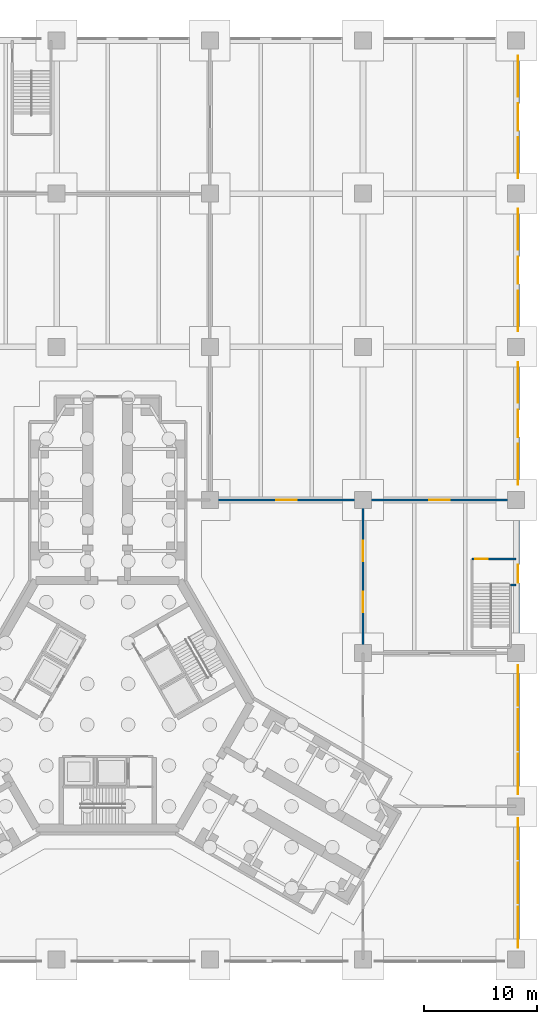
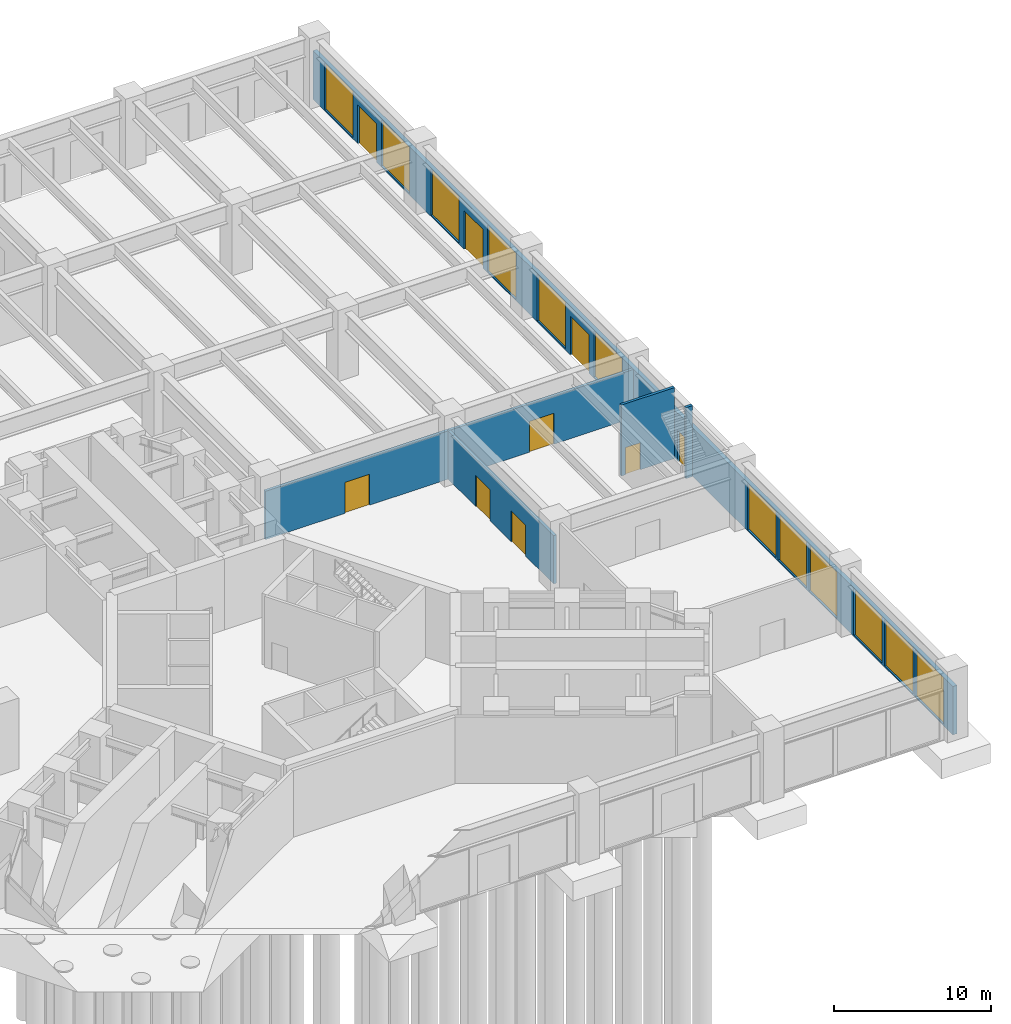
# One storey, part 12 of 18: 12 windows, 9 doors, 6 walls, 21 openings.
"""IFC4 building model written with IfcOpenShell, lengths in metres."""

from ifc_helpers import new_model, si_unit, direction, frame, frame_2d, origin, place, context, subcontext, project, spatial, rectangle, extrude, material, layer, layer_set, type_object, element, fill, save


model = new_model("IFC4")

# Units and contexts
model_context = context("Model", 3, precision=1e-05, world=origin(), true_north=direction((0.0, 1.0)))
body_context = subcontext(model_context, "Body", "Model", "MODEL_VIEW")
ifc_project = project(units=[si_unit("LENGTHUNIT", "METRE"), si_unit("AREAUNIT", "SQUARE_METRE"), si_unit("VOLUMEUNIT", "CUBIC_METRE"), si_unit("PLANEANGLEUNIT", "RADIAN"), si_unit("MASSUNIT", "GRAM", prefix="KILO")], contexts=[model_context])

# Site, building, storey
site_placement = place(None, origin())
site = spatial("IfcSite", under=ifc_project, at=site_placement, CompositionType="ELEMENT")
building_placement = place(site_placement, origin())
building = spatial("IfcBuilding", under=site, at=building_placement, Name="Upepo Twin Towers", CompositionType="ELEMENT")
storey_placement = place(building_placement, origin())
storey = spatial("IfcBuildingStorey", under=building, at=storey_placement, Name="L00", CompositionType="ELEMENT", Elevation=0.0)

# Wall, openings, doors
ifc_material_1 = material(Name="Concrete blockwork", Category="masonry")
ifc_layer_1 = layer(ifc_material_1, 0.199951171875)
ifc_layer_set_1 = layer_set([ifc_layer_1], Name="Podium partition 200 blockwork")
wall_type_1 = type_object("IfcWallType", Name="Podium partition 200 blockwork", PredefinedType="PARTITIONING", material=ifc_layer_set_1)
wall_1_placement = place(storey_placement, frame((81.0, -13.5, 0.0), z_axis=(0.0, 0.0, 1.0), x_axis=(0.0, 1.0, 0.0)))
wall_1 = element("IfcWall", 1, at=wall_1_placement, inside=storey, type_object=wall_type_1, Name="L00 podium wall X82", PredefinedType="PARTITIONING", context=body_context, shape_type="SweptSolid", body=[
    extrude(rectangle(XDim=13.5, YDim=0.199951171875, at=frame_2d((6.75, 0.0))), origin(), (0.0, 0.0, 1.0), 3.75),
])
opening_1_placement = place(wall_1_placement, frame((3.60009765625, 0.0, 0.0)))
opening_1 = element("IfcOpeningElement", 2, at=opening_1_placement, cuts=wall_1, Name="Opening D10", PredefinedType="OPENING", context=body_context, shape_type="SweptSolid", body=[
    extrude(rectangle(XDim=1.800048828125, YDim=2.39990234375, at=frame_2d((0.89990234375, 1.199951171875))), frame((0.0, 0.10986328125, 0.0), z_axis=(0.0, -1.0, 0.0), x_axis=(1.0, 0.0, 0.0)), (0.0, 0.0, 1.0), 0.219970703125),
])
opening_2_placement = place(wall_1_placement, frame((8.10009765625, 0.0, 0.0)))
opening_2 = element("IfcOpeningElement", 3, at=opening_2_placement, cuts=wall_1, Name="Opening D10", PredefinedType="OPENING", context=body_context, shape_type="SweptSolid", body=[
    extrude(rectangle(XDim=1.800048828125, YDim=2.39990234375, at=frame_2d((0.89990234375, 1.199951171875))), frame((0.0, 0.10986328125, 0.0), z_axis=(0.0, -1.0, 0.0), x_axis=(1.0, 0.0, 0.0)), (0.0, 0.0, 1.0), 0.219970703125),
])
ifc_material_2 = material(Name="Timber doorset", Category="wood")
door_type_1 = type_object("IfcDoorType", Name="Podium double door 1800", OperationType="DOUBLE_DOOR_DOUBLE_SWING", PredefinedType="DOOR", material=ifc_material_2)
door_1_placement = place(opening_1_placement, origin())
door_1 = element("IfcDoor", 4, at=door_1_placement, inside=storey, type_object=door_type_1, Name="L00 lecture theatre lt2 door 1", OperationType="DOUBLE_DOOR_DOUBLE_SWING", OverallHeight=2.39990234375, OverallWidth=1.800048828125, PredefinedType="DOOR", context=body_context, shape_type="SweptSolid", body=[
    extrude(rectangle(XDim=1.800048828125, YDim=2.39990234375, at=frame_2d((0.89990234375, 1.199951171875))), frame((0.0, 0.02490234375, 0.0), z_axis=(0.0, -1.0, 0.0), x_axis=(1.0, 0.0, 0.0)), (0.0, 0.0, 1.0), 0.050048828125),
])
fill(opening_1, door_1)
door_2_placement = place(opening_2_placement, origin())
door_2 = element("IfcDoor", 5, at=door_2_placement, inside=storey, type_object=door_type_1, Name="L00 lecture theatre lt2 door 2", OperationType="DOUBLE_DOOR_DOUBLE_SWING", OverallHeight=2.39990234375, OverallWidth=1.800048828125, PredefinedType="DOOR", context=body_context, shape_type="SweptSolid", body=[
    extrude(rectangle(XDim=1.800048828125, YDim=2.39990234375, at=frame_2d((0.89990234375, 1.199951171875))), frame((0.0, 0.02490234375, 0.0), z_axis=(0.0, -1.0, 0.0), x_axis=(1.0, 0.0, 0.0)), (0.0, 0.0, 1.0), 0.050048828125),
])
fill(opening_2, door_2)

# Wall, opening, door
wall_2_placement = place(storey_placement, frame((67.5, 0.0, 0.0), z_axis=(0.0, 0.0, 1.0), x_axis=(1.0, 0.0, 0.0)))
wall_2 = element("IfcWall", 6, at=wall_2_placement, inside=storey, type_object=wall_type_1, Name="L00 podium wall Y73", PredefinedType="PARTITIONING", context=body_context, shape_type="SweptSolid", body=[
    extrude(rectangle(XDim=13.5, YDim=0.199951171875, at=frame_2d((6.75, 0.0))), origin(), (0.0, 0.0, 1.0), 3.75),
])
opening_3_placement = place(wall_2_placement, frame((5.85009765625, 0.0, 0.0)))
opening_3 = element("IfcOpeningElement", 7, at=opening_3_placement, cuts=wall_2, Name="Opening D10", PredefinedType="OPENING", context=body_context, shape_type="SweptSolid", body=[
    extrude(rectangle(XDim=1.800048828125, YDim=2.39990234375, at=frame_2d((0.89990234375, 1.199951171875))), frame((0.0, 0.10986328125, 0.0), z_axis=(0.0, -1.0, 0.0), x_axis=(1.0, 0.0, 0.0)), (0.0, 0.0, 1.0), 0.219970703125),
])
door_3_placement = place(opening_3_placement, origin())
door_3 = element("IfcDoor", 8, at=door_3_placement, inside=storey, type_object=door_type_1, Name="L00 lecture theatre lt2-library entrance hall door", OperationType="DOUBLE_DOOR_DOUBLE_SWING", OverallHeight=2.39990234375, OverallWidth=1.800048828125, PredefinedType="DOOR", context=body_context, shape_type="SweptSolid", body=[
    extrude(rectangle(XDim=1.800048828125, YDim=2.39990234375, at=frame_2d((0.89990234375, 1.199951171875))), frame((0.0, 0.02490234375, 0.0), z_axis=(0.0, -1.0, 0.0), x_axis=(1.0, 0.0, 0.0)), (0.0, 0.0, 1.0), 0.050048828125),
])
fill(opening_3, door_3)

wall_3_placement = place(storey_placement, frame((81.0, 0.0, 0.0), z_axis=(0.0, 0.0, 1.0), x_axis=(1.0, 0.0, 0.0)))
wall_3 = element("IfcWall", 9, at=wall_3_placement, inside=storey, type_object=wall_type_1, Name="L00 podium wall Y83", PredefinedType="PARTITIONING", context=body_context, shape_type="SweptSolid", body=[
    extrude(rectangle(XDim=13.5, YDim=0.199951171875, at=frame_2d((6.75, 0.0))), origin(), (0.0, 0.0, 1.0), 3.75),
])
opening_4_placement = place(wall_3_placement, frame((5.85009765625, 0.0, 0.0)))
opening_4 = element("IfcOpeningElement", 10, at=opening_4_placement, cuts=wall_3, Name="Opening D10", PredefinedType="OPENING", context=body_context, shape_type="SweptSolid", body=[
    extrude(rectangle(XDim=1.800048828125, YDim=2.39990234375, at=frame_2d((0.89990234375, 1.199951171875))), frame((0.0, 0.10986328125, 0.0), z_axis=(0.0, -1.0, 0.0), x_axis=(1.0, 0.0, 0.0)), (0.0, 0.0, 1.0), 0.219970703125),
])
door_4_placement = place(opening_4_placement, origin())
door_4 = element("IfcDoor", 11, at=door_4_placement, inside=storey, type_object=door_type_1, Name="L00 library entrance hall door", OperationType="DOUBLE_DOOR_DOUBLE_SWING", OverallHeight=2.39990234375, OverallWidth=1.800048828125, PredefinedType="DOOR", context=body_context, shape_type="SweptSolid", body=[
    extrude(rectangle(XDim=1.800048828125, YDim=2.39990234375, at=frame_2d((0.89990234375, 1.199951171875))), frame((0.0, 0.02490234375, 0.0), z_axis=(0.0, -1.0, 0.0), x_axis=(1.0, 0.0, 0.0)), (0.0, 0.0, 1.0), 0.050048828125),
])
fill(opening_4, door_4)

ifc_material_3 = material(Name="Concrete C40/50", Category="concrete")
ifc_layer_2 = layer(ifc_material_3, 0.199951171875)
ifc_layer_set_2 = layer_set([ifc_layer_2], Name="Concrete C40/50")
wall_type_2 = type_object("IfcWallType", Name="Podium stair enclosure 200 RC", PredefinedType="SHEAR", material=ifc_layer_set_2)
wall_4_placement = place(storey_placement, frame((94.5, -5.199951171875, 0.0), z_axis=(0.0, 0.0, 1.0), x_axis=(-1.0, 0.0, 0.0)))
wall_4 = element("IfcWall", 12, at=wall_4_placement, inside=storey, type_object=wall_type_2, Name="PS2 L00 enclosure wall 3", PredefinedType="SHEAR", context=body_context, shape_type="SweptSolid", body=[
    extrude(rectangle(XDim=3.89990234375, YDim=0.199951171875, at=frame_2d((1.949951171875, 0.0))), origin(), (0.0, 0.0, 1.0), 5.5),
])
opening_5_placement = place(wall_4_placement, frame((2.5, 0.0, 0.0)))
opening_5 = element("IfcOpeningElement", 13, at=opening_5_placement, cuts=wall_4, Name="Opening D3", PredefinedType="OPENING", context=body_context, shape_type="SweptSolid", body=[
    extrude(rectangle(XDim=1.10009765625, YDim=2.10009765625, at=frame_2d((0.550048828125, 1.050048828125))), frame((0.0, 0.10986328125, 0.0), z_axis=(0.0, -1.0, 0.0), x_axis=(1.0, 0.0, 0.0)), (0.0, 0.0, 1.0), 0.219970703125),
])
ifc_material_4 = material(Name="Timber doorset", Category="wood")
door_type_2 = type_object("IfcDoorType", Name="Stair door 1100 FD60", OperationType="SINGLE_SWING_LEFT", PredefinedType="DOOR", material=ifc_material_4)
door_5_placement = place(opening_5_placement, origin())
door_5 = element("IfcDoor", 14, at=door_5_placement, inside=storey, type_object=door_type_2, Name="PS2 L00 door", OperationType="SINGLE_SWING_RIGHT", OverallHeight=2.10009765625, OverallWidth=1.10009765625, PredefinedType="DOOR", context=body_context, shape_type="SweptSolid", body=[
    extrude(rectangle(XDim=1.10009765625, YDim=2.10009765625, at=frame_2d((0.550048828125, 1.050048828125))), frame((0.0, 0.02490234375, 0.0), z_axis=(0.0, -1.0, 0.0), x_axis=(1.0, 0.0, 0.0)), (0.0, 0.0, 1.0), 0.050048828125),
])
fill(opening_5, door_5)

# Wall
wall_5_placement = place(storey_placement, frame((94.0, -7.5, 0.0), z_axis=(0.0, 0.0, 1.0), x_axis=(1.0, 0.0, 0.0)))
element("IfcWall", 15, at=wall_5_placement, inside=storey, type_object=wall_type_2, Name="PS2 L00 enclosure return wall", PredefinedType="SHEAR", context=body_context, shape_type="SweptSolid", body=[
    extrude(rectangle(XDim=0.5, YDim=0.199951171875, at=frame_2d((0.25, 0.0))), origin(), (0.0, 0.0, 1.0), 5.5),
])

# Wall, openings, doors, windows
ifc_material_5 = material(Name="Blockwork with anodised aluminium cladding", Category="masonry")
ifc_layer_3 = layer(ifc_material_5, 0.300048828125)
ifc_layer_set_3 = layer_set([ifc_layer_3], Name="Podium street wall 300, pale metal")
wall_type_3 = type_object("IfcWallType", Name="Podium street wall 300, pale metal", PredefinedType="STANDARD", material=ifc_layer_set_3)
wall_6_placement = place(storey_placement, frame((94.64990234375, -40.64990234375, 0.0), z_axis=(0.0, 0.0, 1.0), x_axis=(0.0, 1.0, 0.0)))
wall_6 = element("IfcWall", 16, at=wall_6_placement, inside=storey, type_object=wall_type_3, Name="Podium street wall E", PredefinedType="STANDARD", context=body_context, shape_type="SweptSolid", body=[
    extrude(rectangle(XDim=81.2998046875, YDim=0.300048828125, at=frame_2d((40.64990234375, 0.0))), origin(), (0.0, 0.0, 1.0), 3.75),
])
opening_6_placement = place(wall_6_placement, frame((33.35009765625, 0.0, 0.0)))
opening_6 = element("IfcOpeningElement", 17, at=opening_6_placement, cuts=wall_6, Name="Opening D16", PredefinedType="OPENING", context=body_context, shape_type="SweptSolid", body=[
    extrude(rectangle(XDim=1.60009765625, YDim=2.39990234375, at=frame_2d((0.800048828125, 1.199951171875))), frame((0.0, 0.159912109375, 0.0), z_axis=(0.0, -1.0, 0.0), x_axis=(1.0, 0.0, 0.0)), (0.0, 0.0, 1.0), 0.320068359375),
])
opening_7_placement = place(wall_6_placement, frame((1.199951171875, 0.0, 0.10009765625)))
opening_7 = element("IfcOpeningElement", 18, at=opening_7_placement, cuts=wall_6, Name="Opening W1", PredefinedType="OPENING", context=body_context, shape_type="SweptSolid", body=[
    extrude(rectangle(XDim=3.60009765625, YDim=3.60009765625, at=frame_2d((1.800048828125, 1.800048828125))), frame((0.0, 0.159912109375, 0.0), z_axis=(0.0, -1.0, 0.0), x_axis=(1.0, 0.0, 0.0)), (0.0, 0.0, 1.0), 0.320068359375),
])
opening_8_placement = place(wall_6_placement, frame((5.10009765625, 0.0, 0.10009765625)))
opening_8 = element("IfcOpeningElement", 19, at=opening_8_placement, cuts=wall_6, Name="Opening W1", PredefinedType="OPENING", context=body_context, shape_type="SweptSolid", body=[
    extrude(rectangle(XDim=3.60009765625, YDim=3.60009765625, at=frame_2d((1.800048828125, 1.800048828125))), frame((0.0, 0.159912109375, 0.0), z_axis=(0.0, -1.0, 0.0), x_axis=(1.0, 0.0, 0.0)), (0.0, 0.0, 1.0), 0.320068359375),
])
opening_9_placement = place(wall_6_placement, frame((9.0, 0.0, 0.10009765625)))
opening_9 = element("IfcOpeningElement", 20, at=opening_9_placement, cuts=wall_6, Name="Opening W1", PredefinedType="OPENING", context=body_context, shape_type="SweptSolid", body=[
    extrude(rectangle(XDim=3.60009765625, YDim=3.60009765625, at=frame_2d((1.800048828125, 1.800048828125))), frame((0.0, 0.159912109375, 0.0), z_axis=(0.0, -1.0, 0.0), x_axis=(1.0, 0.0, 0.0)), (0.0, 0.0, 1.0), 0.320068359375),
])
opening_10_placement = place(wall_6_placement, frame((14.699951171875, 0.0, 0.10009765625)))
opening_10 = element("IfcOpeningElement", 21, at=opening_10_placement, cuts=wall_6, Name="Opening W1", PredefinedType="OPENING", context=body_context, shape_type="SweptSolid", body=[
    extrude(rectangle(XDim=3.60009765625, YDim=3.60009765625, at=frame_2d((1.800048828125, 1.800048828125))), frame((0.0, 0.159912109375, 0.0), z_axis=(0.0, -1.0, 0.0), x_axis=(1.0, 0.0, 0.0)), (0.0, 0.0, 1.0), 0.320068359375),
])
opening_11_placement = place(wall_6_placement, frame((18.60009765625, 0.0, 0.10009765625)))
opening_11 = element("IfcOpeningElement", 22, at=opening_11_placement, cuts=wall_6, Name="Opening W1", PredefinedType="OPENING", context=body_context, shape_type="SweptSolid", body=[
    extrude(rectangle(XDim=3.60009765625, YDim=3.60009765625, at=frame_2d((1.800048828125, 1.800048828125))), frame((0.0, 0.159912109375, 0.0), z_axis=(0.0, -1.0, 0.0), x_axis=(1.0, 0.0, 0.0)), (0.0, 0.0, 1.0), 0.320068359375),
])
opening_12_placement = place(wall_6_placement, frame((22.5, 0.0, 0.10009765625)))
opening_12 = element("IfcOpeningElement", 23, at=opening_12_placement, cuts=wall_6, Name="Opening W1", PredefinedType="OPENING", context=body_context, shape_type="SweptSolid", body=[
    extrude(rectangle(XDim=3.60009765625, YDim=3.60009765625, at=frame_2d((1.800048828125, 1.800048828125))), frame((0.0, 0.159912109375, 0.0), z_axis=(0.0, -1.0, 0.0), x_axis=(1.0, 0.0, 0.0)), (0.0, 0.0, 1.0), 0.320068359375),
])
opening_13_placement = place(wall_6_placement, frame((42.0, 0.0, 0.10009765625)))
opening_13 = element("IfcOpeningElement", 24, at=opening_13_placement, cuts=wall_6, Name="Opening W1", PredefinedType="OPENING", context=body_context, shape_type="SweptSolid", body=[
    extrude(rectangle(XDim=3.60009765625, YDim=3.60009765625, at=frame_2d((1.800048828125, 1.800048828125))), frame((0.0, 0.159912109375, 0.0), z_axis=(0.0, -1.0, 0.0), x_axis=(1.0, 0.0, 0.0)), (0.0, 0.0, 1.0), 0.320068359375),
])
opening_14_placement = place(wall_6_placement, frame((46.199951171875, 0.0, 0.0)))
opening_14 = element("IfcOpeningElement", 25, at=opening_14_placement, cuts=wall_6, Name="Opening D7", PredefinedType="OPENING", context=body_context, shape_type="SweptSolid", body=[
    extrude(rectangle(XDim=2.39990234375, YDim=3.0, at=frame_2d((1.199951171875, 1.5))), frame((0.0, 0.159912109375, 0.0), z_axis=(0.0, -1.0, 0.0), x_axis=(1.0, 0.0, 0.0)), (0.0, 0.0, 1.0), 0.320068359375),
])
opening_15_placement = place(wall_6_placement, frame((49.199951171875, 0.0, 0.10009765625)))
opening_15 = element("IfcOpeningElement", 26, at=opening_15_placement, cuts=wall_6, Name="Opening W1", PredefinedType="OPENING", context=body_context, shape_type="SweptSolid", body=[
    extrude(rectangle(XDim=3.60009765625, YDim=3.60009765625, at=frame_2d((1.800048828125, 1.800048828125))), frame((0.0, 0.159912109375, 0.0), z_axis=(0.0, -1.0, 0.0), x_axis=(1.0, 0.0, 0.0)), (0.0, 0.0, 1.0), 0.320068359375),
])
opening_16_placement = place(wall_6_placement, frame((55.5, 0.0, 0.10009765625)))
opening_16 = element("IfcOpeningElement", 27, at=opening_16_placement, cuts=wall_6, Name="Opening W1", PredefinedType="OPENING", context=body_context, shape_type="SweptSolid", body=[
    extrude(rectangle(XDim=3.60009765625, YDim=3.60009765625, at=frame_2d((1.800048828125, 1.800048828125))), frame((0.0, 0.159912109375, 0.0), z_axis=(0.0, -1.0, 0.0), x_axis=(1.0, 0.0, 0.0)), (0.0, 0.0, 1.0), 0.320068359375),
])
opening_17_placement = place(wall_6_placement, frame((59.699951171875, 0.0, 0.0)))
opening_17 = element("IfcOpeningElement", 28, at=opening_17_placement, cuts=wall_6, Name="Opening D7", PredefinedType="OPENING", context=body_context, shape_type="SweptSolid", body=[
    extrude(rectangle(XDim=2.39990234375, YDim=3.0, at=frame_2d((1.199951171875, 1.5))), frame((0.0, 0.159912109375, 0.0), z_axis=(0.0, -1.0, 0.0), x_axis=(1.0, 0.0, 0.0)), (0.0, 0.0, 1.0), 0.320068359375),
])
opening_18_placement = place(wall_6_placement, frame((62.699951171875, 0.0, 0.10009765625)))
opening_18 = element("IfcOpeningElement", 29, at=opening_18_placement, cuts=wall_6, Name="Opening W1", PredefinedType="OPENING", context=body_context, shape_type="SweptSolid", body=[
    extrude(rectangle(XDim=3.60009765625, YDim=3.60009765625, at=frame_2d((1.800048828125, 1.800048828125))), frame((0.0, 0.159912109375, 0.0), z_axis=(0.0, -1.0, 0.0), x_axis=(1.0, 0.0, 0.0)), (0.0, 0.0, 1.0), 0.320068359375),
])
opening_19_placement = place(wall_6_placement, frame((69.0, 0.0, 0.10009765625)))
opening_19 = element("IfcOpeningElement", 30, at=opening_19_placement, cuts=wall_6, Name="Opening W1", PredefinedType="OPENING", context=body_context, shape_type="SweptSolid", body=[
    extrude(rectangle(XDim=3.60009765625, YDim=3.60009765625, at=frame_2d((1.800048828125, 1.800048828125))), frame((0.0, 0.159912109375, 0.0), z_axis=(0.0, -1.0, 0.0), x_axis=(1.0, 0.0, 0.0)), (0.0, 0.0, 1.0), 0.320068359375),
])
opening_20_placement = place(wall_6_placement, frame((73.199951171875, 0.0, 0.0)))
opening_20 = element("IfcOpeningElement", 31, at=opening_20_placement, cuts=wall_6, Name="Opening D7", PredefinedType="OPENING", context=body_context, shape_type="SweptSolid", body=[
    extrude(rectangle(XDim=2.39990234375, YDim=3.0, at=frame_2d((1.199951171875, 1.5))), frame((0.0, 0.159912109375, 0.0), z_axis=(0.0, -1.0, 0.0), x_axis=(1.0, 0.0, 0.0)), (0.0, 0.0, 1.0), 0.320068359375),
])
opening_21_placement = place(wall_6_placement, frame((76.199951171875, 0.0, 0.10009765625)))
opening_21 = element("IfcOpeningElement", 32, at=opening_21_placement, cuts=wall_6, Name="Opening W1", PredefinedType="OPENING", context=body_context, shape_type="SweptSolid", body=[
    extrude(rectangle(XDim=3.60009765625, YDim=3.60009765625, at=frame_2d((1.800048828125, 1.800048828125))), frame((0.0, 0.159912109375, 0.0), z_axis=(0.0, -1.0, 0.0), x_axis=(1.0, 0.0, 0.0)), (0.0, 0.0, 1.0), 0.320068359375),
])
ifc_material_6 = material(Name="Aluminium glazed doorset", Category="aluminium")
door_type_3 = type_object("IfcDoorType", Name="Entrance door 2400 glazed", OperationType="DOUBLE_DOOR_DOUBLE_SWING", PredefinedType="DOOR", material=ifc_material_6)
door_6_placement = place(opening_14_placement, origin())
door_6 = element("IfcDoor", 33, at=door_6_placement, inside=storey, type_object=door_type_3, Name="Entrance door E4", OperationType="DOUBLE_DOOR_DOUBLE_SWING", OverallHeight=3.0, OverallWidth=2.39990234375, PredefinedType="DOOR", context=body_context, shape_type="SweptSolid", body=[
    extrude(rectangle(XDim=2.39990234375, YDim=3.0, at=frame_2d((1.199951171875, 1.5))), frame((0.0, 0.02490234375, 0.0), z_axis=(0.0, -1.0, 0.0), x_axis=(1.0, 0.0, 0.0)), (0.0, 0.0, 1.0), 0.050048828125),
])
fill(opening_14, door_6)
door_7_placement = place(opening_17_placement, origin())
door_7 = element("IfcDoor", 34, at=door_7_placement, inside=storey, type_object=door_type_3, Name="Entrance door E5", OperationType="DOUBLE_DOOR_DOUBLE_SWING", OverallHeight=3.0, OverallWidth=2.39990234375, PredefinedType="DOOR", context=body_context, shape_type="SweptSolid", body=[
    extrude(rectangle(XDim=2.39990234375, YDim=3.0, at=frame_2d((1.199951171875, 1.5))), frame((0.0, 0.02490234375, 0.0), z_axis=(0.0, -1.0, 0.0), x_axis=(1.0, 0.0, 0.0)), (0.0, 0.0, 1.0), 0.050048828125),
])
fill(opening_17, door_7)
door_8_placement = place(opening_20_placement, origin())
door_8 = element("IfcDoor", 35, at=door_8_placement, inside=storey, type_object=door_type_3, Name="Entrance door E6", OperationType="DOUBLE_DOOR_DOUBLE_SWING", OverallHeight=3.0, OverallWidth=2.39990234375, PredefinedType="DOOR", context=body_context, shape_type="SweptSolid", body=[
    extrude(rectangle(XDim=2.39990234375, YDim=3.0, at=frame_2d((1.199951171875, 1.5))), frame((0.0, 0.02490234375, 0.0), z_axis=(0.0, -1.0, 0.0), x_axis=(1.0, 0.0, 0.0)), (0.0, 0.0, 1.0), 0.050048828125),
])
fill(opening_20, door_8)
ifc_material_7 = material(Name="Aluminium and clear glass", Category="aluminium")
window_type = type_object("IfcWindowType", Name="Shopfront window 3600x3600", PartitioningType="DOUBLE_PANEL_VERTICAL", PredefinedType="WINDOW", material=ifc_material_7)
window_1_placement = place(opening_7_placement, origin())
window_1 = element("IfcWindow", 36, at=window_1_placement, inside=storey, type_object=window_type, Name="Shopfront window E1.1", OverallHeight=3.60009765625, OverallWidth=3.60009765625, PartitioningType="SINGLE_PANEL", PredefinedType="WINDOW", context=body_context, shape_type="SweptSolid", body=[
    extrude(rectangle(XDim=3.60009765625, YDim=3.60009765625, at=frame_2d((1.800048828125, 1.800048828125))), frame((0.0, 0.030029296875, 0.0), z_axis=(0.0, -1.0, 0.0), x_axis=(1.0, 0.0, 0.0)), (0.0, 0.0, 1.0), 0.06005859375),
])
fill(opening_7, window_1)
window_2_placement = place(opening_8_placement, origin())
window_2 = element("IfcWindow", 37, at=window_2_placement, inside=storey, type_object=window_type, Name="Shopfront window E1.2", OverallHeight=3.60009765625, OverallWidth=3.60009765625, PartitioningType="SINGLE_PANEL", PredefinedType="WINDOW", context=body_context, shape_type="SweptSolid", body=[
    extrude(rectangle(XDim=3.60009765625, YDim=3.60009765625, at=frame_2d((1.800048828125, 1.800048828125))), frame((0.0, 0.030029296875, 0.0), z_axis=(0.0, -1.0, 0.0), x_axis=(1.0, 0.0, 0.0)), (0.0, 0.0, 1.0), 0.06005859375),
])
fill(opening_8, window_2)
window_3_placement = place(opening_9_placement, origin())
window_3 = element("IfcWindow", 38, at=window_3_placement, inside=storey, type_object=window_type, Name="Shopfront window E1.3", OverallHeight=3.60009765625, OverallWidth=3.60009765625, PartitioningType="SINGLE_PANEL", PredefinedType="WINDOW", context=body_context, shape_type="SweptSolid", body=[
    extrude(rectangle(XDim=3.60009765625, YDim=3.60009765625, at=frame_2d((1.800048828125, 1.800048828125))), frame((0.0, 0.030029296875, 0.0), z_axis=(0.0, -1.0, 0.0), x_axis=(1.0, 0.0, 0.0)), (0.0, 0.0, 1.0), 0.06005859375),
])
fill(opening_9, window_3)
window_4_placement = place(opening_10_placement, origin())
window_4 = element("IfcWindow", 39, at=window_4_placement, inside=storey, type_object=window_type, Name="Shopfront window E2.1", OverallHeight=3.60009765625, OverallWidth=3.60009765625, PartitioningType="SINGLE_PANEL", PredefinedType="WINDOW", context=body_context, shape_type="SweptSolid", body=[
    extrude(rectangle(XDim=3.60009765625, YDim=3.60009765625, at=frame_2d((1.800048828125, 1.800048828125))), frame((0.0, 0.030029296875, 0.0), z_axis=(0.0, -1.0, 0.0), x_axis=(1.0, 0.0, 0.0)), (0.0, 0.0, 1.0), 0.06005859375),
])
fill(opening_10, window_4)
window_5_placement = place(opening_11_placement, origin())
window_5 = element("IfcWindow", 40, at=window_5_placement, inside=storey, type_object=window_type, Name="Shopfront window E2.2", OverallHeight=3.60009765625, OverallWidth=3.60009765625, PartitioningType="SINGLE_PANEL", PredefinedType="WINDOW", context=body_context, shape_type="SweptSolid", body=[
    extrude(rectangle(XDim=3.60009765625, YDim=3.60009765625, at=frame_2d((1.800048828125, 1.800048828125))), frame((0.0, 0.030029296875, 0.0), z_axis=(0.0, -1.0, 0.0), x_axis=(1.0, 0.0, 0.0)), (0.0, 0.0, 1.0), 0.06005859375),
])
fill(opening_11, window_5)
window_6_placement = place(opening_12_placement, origin())
window_6 = element("IfcWindow", 41, at=window_6_placement, inside=storey, type_object=window_type, Name="Shopfront window E2.3", OverallHeight=3.60009765625, OverallWidth=3.60009765625, PartitioningType="SINGLE_PANEL", PredefinedType="WINDOW", context=body_context, shape_type="SweptSolid", body=[
    extrude(rectangle(XDim=3.60009765625, YDim=3.60009765625, at=frame_2d((1.800048828125, 1.800048828125))), frame((0.0, 0.030029296875, 0.0), z_axis=(0.0, -1.0, 0.0), x_axis=(1.0, 0.0, 0.0)), (0.0, 0.0, 1.0), 0.06005859375),
])
fill(opening_12, window_6)
window_7_placement = place(opening_13_placement, origin())
window_7 = element("IfcWindow", 42, at=window_7_placement, inside=storey, type_object=window_type, Name="Shopfront window E4.1", OverallHeight=3.60009765625, OverallWidth=3.60009765625, PartitioningType="SINGLE_PANEL", PredefinedType="WINDOW", context=body_context, shape_type="SweptSolid", body=[
    extrude(rectangle(XDim=3.60009765625, YDim=3.60009765625, at=frame_2d((1.800048828125, 1.800048828125))), frame((0.0, 0.030029296875, 0.0), z_axis=(0.0, -1.0, 0.0), x_axis=(1.0, 0.0, 0.0)), (0.0, 0.0, 1.0), 0.06005859375),
])
fill(opening_13, window_7)
window_8_placement = place(opening_15_placement, origin())
window_8 = element("IfcWindow", 43, at=window_8_placement, inside=storey, type_object=window_type, Name="Shopfront window E4.3", OverallHeight=3.60009765625, OverallWidth=3.60009765625, PartitioningType="SINGLE_PANEL", PredefinedType="WINDOW", context=body_context, shape_type="SweptSolid", body=[
    extrude(rectangle(XDim=3.60009765625, YDim=3.60009765625, at=frame_2d((1.800048828125, 1.800048828125))), frame((0.0, 0.030029296875, 0.0), z_axis=(0.0, -1.0, 0.0), x_axis=(1.0, 0.0, 0.0)), (0.0, 0.0, 1.0), 0.06005859375),
])
fill(opening_15, window_8)
window_9_placement = place(opening_16_placement, origin())
window_9 = element("IfcWindow", 44, at=window_9_placement, inside=storey, type_object=window_type, Name="Shopfront window E5.1", OverallHeight=3.60009765625, OverallWidth=3.60009765625, PartitioningType="SINGLE_PANEL", PredefinedType="WINDOW", context=body_context, shape_type="SweptSolid", body=[
    extrude(rectangle(XDim=3.60009765625, YDim=3.60009765625, at=frame_2d((1.800048828125, 1.800048828125))), frame((0.0, 0.030029296875, 0.0), z_axis=(0.0, -1.0, 0.0), x_axis=(1.0, 0.0, 0.0)), (0.0, 0.0, 1.0), 0.06005859375),
])
fill(opening_16, window_9)
window_10_placement = place(opening_18_placement, origin())
window_10 = element("IfcWindow", 45, at=window_10_placement, inside=storey, type_object=window_type, Name="Shopfront window E5.3", OverallHeight=3.60009765625, OverallWidth=3.60009765625, PartitioningType="SINGLE_PANEL", PredefinedType="WINDOW", context=body_context, shape_type="SweptSolid", body=[
    extrude(rectangle(XDim=3.60009765625, YDim=3.60009765625, at=frame_2d((1.800048828125, 1.800048828125))), frame((0.0, 0.030029296875, 0.0), z_axis=(0.0, -1.0, 0.0), x_axis=(1.0, 0.0, 0.0)), (0.0, 0.0, 1.0), 0.06005859375),
])
fill(opening_18, window_10)
window_11_placement = place(opening_19_placement, origin())
window_11 = element("IfcWindow", 46, at=window_11_placement, inside=storey, type_object=window_type, Name="Shopfront window E6.1", OverallHeight=3.60009765625, OverallWidth=3.60009765625, PartitioningType="SINGLE_PANEL", PredefinedType="WINDOW", context=body_context, shape_type="SweptSolid", body=[
    extrude(rectangle(XDim=3.60009765625, YDim=3.60009765625, at=frame_2d((1.800048828125, 1.800048828125))), frame((0.0, 0.030029296875, 0.0), z_axis=(0.0, -1.0, 0.0), x_axis=(1.0, 0.0, 0.0)), (0.0, 0.0, 1.0), 0.06005859375),
])
fill(opening_19, window_11)
window_12_placement = place(opening_21_placement, origin())
window_12 = element("IfcWindow", 47, at=window_12_placement, inside=storey, type_object=window_type, Name="Shopfront window E6.3", OverallHeight=3.60009765625, OverallWidth=3.60009765625, PartitioningType="SINGLE_PANEL", PredefinedType="WINDOW", context=body_context, shape_type="SweptSolid", body=[
    extrude(rectangle(XDim=3.60009765625, YDim=3.60009765625, at=frame_2d((1.800048828125, 1.800048828125))), frame((0.0, 0.030029296875, 0.0), z_axis=(0.0, -1.0, 0.0), x_axis=(1.0, 0.0, 0.0)), (0.0, 0.0, 1.0), 0.06005859375),
])
fill(opening_21, window_12)
ifc_material_8 = material(Name="Aluminium glazed doorset", Category="aluminium")
door_type_4 = type_object("IfcDoorType", Name="Stair final exit door 1600, external", OperationType="DOUBLE_DOOR_DOUBLE_SWING", PredefinedType="DOOR", material=ifc_material_8)
door_9_placement = place(opening_6_placement, origin())
door_9 = element("IfcDoor", 48, at=door_9_placement, inside=storey, type_object=door_type_4, Name="Stair PS2 final exit door", OperationType="DOUBLE_DOOR_DOUBLE_SWING", OverallHeight=2.39990234375, OverallWidth=1.60009765625, PredefinedType="DOOR", context=body_context, shape_type="SweptSolid", body=[
    extrude(rectangle(XDim=1.60009765625, YDim=2.39990234375, at=frame_2d((0.800048828125, 1.199951171875))), frame((0.0, 0.02490234375, 0.0), z_axis=(0.0, -1.0, 0.0), x_axis=(1.0, 0.0, 0.0)), (0.0, 0.0, 1.0), 0.050048828125),
])
fill(opening_6, door_9)

save(model, "model.ifc")
